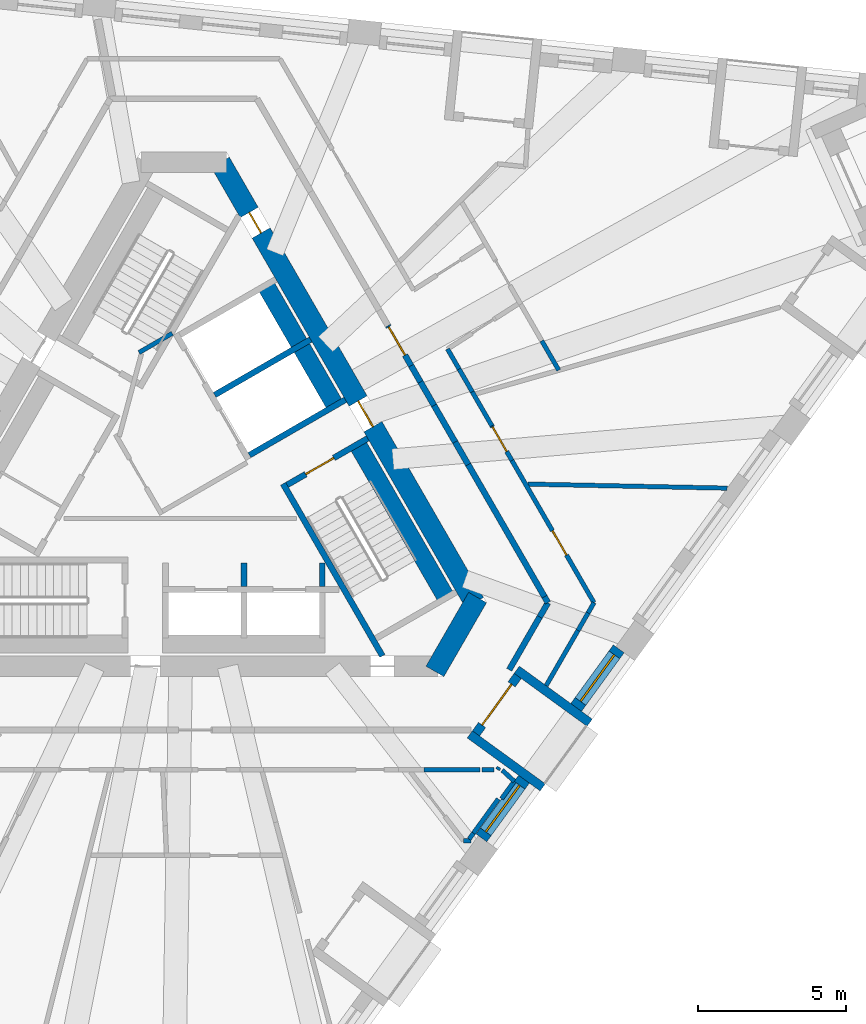
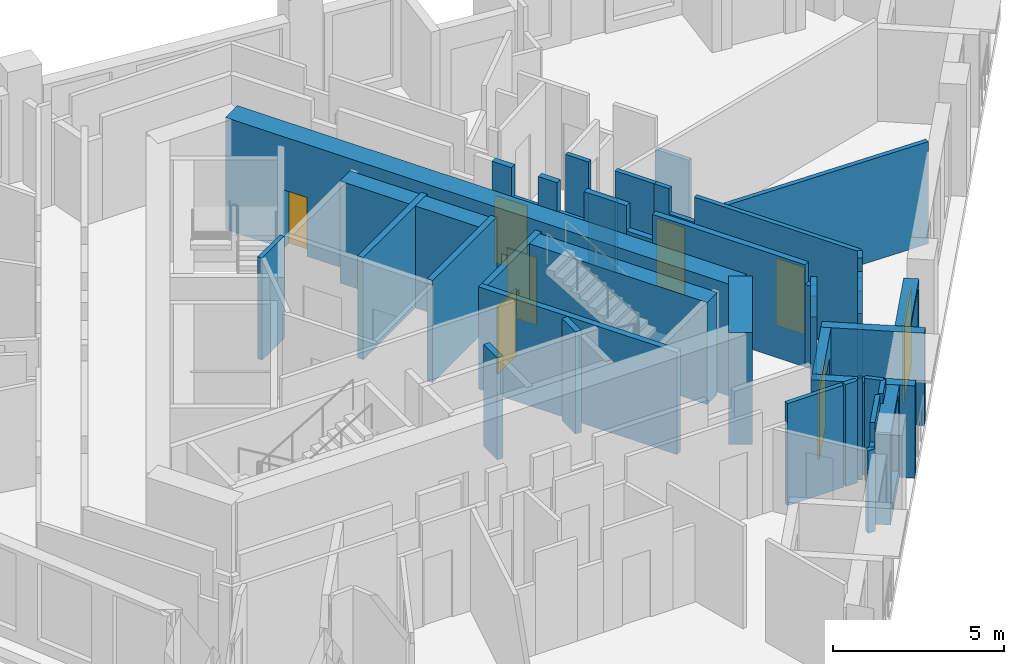
# One storey, part 5 of 11: 43 walls, 7 doors, 2 windows, 9 openings.
"""IFC4 building model written with IfcOpenShell, lengths in metres."""

from ifc_helpers import new_model, si_unit, direction, frame, frame_2d, origin, place, context, subcontext, project, spatial, polyline, rectangle, outline, extrude, material, layer, layer_set, type_object, element, fill, save


model = new_model("IFC4")

# Units and contexts
model_context = context("Model", 3, precision=1e-05, world=origin(), true_north=direction((0.0, 1.0)))
body_context = subcontext(model_context, "Body", "Model", "MODEL_VIEW")
ifc_project = project(units=[si_unit("LENGTHUNIT", "METRE"), si_unit("AREAUNIT", "SQUARE_METRE"), si_unit("VOLUMEUNIT", "CUBIC_METRE"), si_unit("PLANEANGLEUNIT", "RADIAN"), si_unit("MASSUNIT", "GRAM", prefix="KILO")], contexts=[model_context])

# Site, building, storey
site_placement = place(None, origin())
site = spatial("IfcSite", under=ifc_project, at=site_placement, CompositionType="ELEMENT")
building_placement = place(site_placement, origin())
building = spatial("IfcBuilding", under=site, at=building_placement, Name="Tramontana Tower", CompositionType="ELEMENT")
storey_placement = place(building_placement, frame((0.0, 0.0, 249.199951171875)))
storey = spatial("IfcBuildingStorey", under=building, at=storey_placement, Name="L58", CompositionType="ELEMENT", Elevation=249.199951171875)

# Wall
ifc_material_1 = material(Name="Concrete 70 MPa", Category="concrete")
ifc_layer_1 = layer(ifc_material_1, 0.699951171875)
ifc_layer_set_1 = layer_set([ifc_layer_1], Name="Core wall 700 70 MPa")
wall_type_1 = type_object("IfcWallType", Name="Core wall 700 70 MPa", PredefinedType="SHEAR", material=ifc_layer_set_1)
wall_1_placement = place(storey_placement, frame((8.50146484375, -6.574951171875, 0.0), z_axis=(0.0, 0.0, 1.0), x_axis=(0.499995765644, 0.866027848477, 0.0)))
element("IfcWall", 1, at=wall_1_placement, inside=storey, type_object=wall_type_1, Name="Core wall C4 L58", PredefinedType="SHEAR", context=body_context, shape_type="SweptSolid", body=[
    extrude(rectangle(XDim=2.88671875, YDim=0.699951171875, at=frame_2d((1.443359375, 0.0))), origin(), (0.0, 0.0, 1.0), 4.0),
])

# Wall, openings, doors
wall_2_placement = place(storey_placement, frame((9.84375, -4.25, 0.0), z_axis=(0.0, 0.0, 1.0), x_axis=(-0.500003331888, 0.866023480109, 0.0)))
wall_2 = element("IfcWall", 2, at=wall_2_placement, inside=storey, type_object=wall_type_1, Name="Core wall C5 L58", PredefinedType="SHEAR", context=body_context, shape_type="SweptSolid", body=[
    extrude(rectangle(XDim=17.205078125, YDim=0.699951171875, at=frame_2d((8.6025390625, 0.0))), origin(), (0.0, 0.0, 1.0), 4.0),
])
opening_1_placement = place(wall_2_placement, frame((6.87744140625, 0.0, 0.0)))
opening_1 = element("IfcOpeningElement", 3, at=opening_1_placement, cuts=wall_2, Name="Opening RG3", PredefinedType="OPENING", context=body_context, shape_type="SweptSolid", body=[
    extrude(rectangle(XDim=1.0, YDim=2.39990234375, at=frame_2d((0.5, 1.199951171875))), frame((0.0, 0.35986328125, 0.0), z_axis=(0.0, -1.0, 0.0), x_axis=(1.0, 0.0, 0.0)), (0.0, 0.0, 1.0), 0.719970703125),
])
opening_2_placement = place(wall_2_placement, frame((14.445068359375, 0.0, 0.0)))
opening_2 = element("IfcOpeningElement", 4, at=opening_2_placement, cuts=wall_2, Name="Opening PD3", PredefinedType="OPENING", context=body_context, shape_type="SweptSolid", body=[
    extrude(rectangle(XDim=0.800048828125, YDim=2.10009765625, at=frame_2d((0.39990234375, 1.050048828125))), frame((0.0, 0.35986328125, 0.0), z_axis=(0.0, -1.0, 0.0), x_axis=(1.0, 0.0, 0.0)), (0.0, 0.0, 1.0), 0.719970703125),
])
ifc_material_2 = material(Name="Painted steel", Category="steel")
door_type_1 = type_object("IfcDoorType", Name="CUPBOARD DOOR 800", OperationType="SINGLE_SWING_LEFT", PredefinedType="DOOR", material=ifc_material_2)
door_1_placement = place(opening_2_placement, origin())
door_1 = element("IfcDoor", 5, at=door_1_placement, inside=storey, type_object=door_type_1, Name="Door PD3", OperationType="SINGLE_SWING_RIGHT", OverallHeight=2.10009765625, OverallWidth=0.800048828125, PredefinedType="DOOR", context=body_context, shape_type="SweptSolid", body=[
    extrude(rectangle(XDim=0.800048828125, YDim=2.10009765625, at=frame_2d((0.39990234375, 1.050048828125))), frame((0.0, 0.02490234375, 0.0), z_axis=(0.0, -1.0, 0.0), x_axis=(1.0, 0.0, 0.0)), (0.0, 0.0, 1.0), 0.050048828125),
])
fill(opening_2, door_1)
ifc_material_3 = material(Name="Painted steel", Category="steel")
door_type_2 = type_object("IfcDoorType", Name="RING DOOR 1000", OperationType="SINGLE_SWING_LEFT", PredefinedType="DOOR", material=ifc_material_3)
door_2_placement = place(opening_1_placement, origin())
door_2 = element("IfcDoor", 6, at=door_2_placement, inside=storey, type_object=door_type_2, Name="Door RG3", OperationType="SINGLE_SWING_RIGHT", OverallHeight=2.39990234375, OverallWidth=1.0, PredefinedType="DOOR", context=body_context, shape_type="SweptSolid", body=[
    extrude(rectangle(XDim=1.0, YDim=2.39990234375, at=frame_2d((0.5, 1.199951171875))), frame((0.0, 0.02490234375, 0.0), z_axis=(0.0, -1.0, 0.0), x_axis=(1.0, 0.0, 0.0)), (0.0, 0.0, 1.0), 0.050048828125),
])
fill(opening_1, door_2)

# Walls
ifc_material_4 = material(Name="Blockwork", Category="masonry")
ifc_layer_2 = layer(ifc_material_4, 0.199951171875)
ifc_layer_set_2 = layer_set([ifc_layer_2], Name="ENTRY WALL 200")
wall_type_2 = type_object("IfcWallType", Name="ENTRY WALL 200", PredefinedType="SOLIDWALL", material=ifc_layer_set_2)
wall_3_placement = place(storey_placement, frame((12.326416015625, -4.25, 0.0), z_axis=(0.0, 0.0, 1.0), x_axis=(-0.500000383388, -0.866025182435, 0.0)))
element("IfcWall", 7, at=wall_3_placement, inside=storey, type_object=wall_type_2, Name="Wall v61-ew0-0", PredefinedType="SOLIDWALL", context=body_context, shape_type="SweptSolid", body=[
    extrude(rectangle(XDim=0.5576171875, YDim=0.199951171875, at=frame_2d((0.27880859375, 0.0))), origin(), (0.0, 0.0, 1.0), 2.949951171875),
])
wall_4_placement = place(storey_placement, frame((12.047607421875, -4.73291015625, 0.0), z_axis=(0.0, 0.0, 1.0), x_axis=(-0.499958106649, -0.866049589571, 0.0)))
element("IfcWall", 8, at=wall_4_placement, inside=storey, type_object=wall_type_2, Name="Wall v61-ew0-1", PredefinedType="SOLIDWALL", context=body_context, shape_type="SweptSolid", body=[
    extrude(rectangle(XDim=2.062744140625, YDim=0.199951171875, at=frame_2d((1.03125, 0.0))), origin(), (0.0, 0.0, 1.0), 3.650146484375),
])

# Wall, opening, door
wall_5_placement = place(storey_placement, frame((6.914306640625, 5.124267578125, 0.0), z_axis=(0.0, 0.0, 1.0), x_axis=(0.499861922145, -0.866105108396, 0.0)))
wall_5 = element("IfcWall", 9, at=wall_5_placement, inside=storey, type_object=wall_type_2, Name="Wall v61-ew5-5", PredefinedType="SOLIDWALL", context=body_context, shape_type="SweptSolid", body=[
    extrude(outline(polyline([(0.0, 0.0), (1.56591796875, 0.0), (1.56591796875, 2.550048828125), (0.665771484375, 2.550048828125), (0.665771484375, 3.650146484375), (0.0, 3.650146484375), (0.0, 0.0)])), frame((0.0, 0.10009765625, 0.0), z_axis=(0.0, -1.0, 0.0), x_axis=(1.0, 0.0, 0.0)), (0.0, 0.0, 1.0), 0.199951171875),
])
opening_3_placement = place(wall_5_placement, frame((0.050048828125, 0.0, 0.0)))
opening_3 = element("IfcOpeningElement", 10, at=opening_3_placement, cuts=wall_5, Name="Opening B6B-23", PredefinedType="OPENING", context=body_context, shape_type="SweptSolid", body=[
    extrude(rectangle(XDim=1.10009765625, YDim=2.39990234375, at=frame_2d((0.550048828125, 1.199951171875))), frame((0.0, 0.10986328125, 0.0), z_axis=(0.0, -1.0, 0.0), x_axis=(1.0, 0.0, 0.0)), (0.0, 0.0, 1.0), 0.219970703125),
])
ifc_material_5 = material(Name="Painted timber", Category="wood")
door_type_3 = type_object("IfcDoorType", Name="DOOR ENTRY 1100", OperationType="SINGLE_SWING_LEFT", PredefinedType="DOOR", material=ifc_material_5)
door_3_placement = place(opening_3_placement, origin())
door_3 = element("IfcDoor", 11, at=door_3_placement, inside=storey, type_object=door_type_3, Name="Door B6B-23", OperationType="SINGLE_SWING_LEFT", OverallHeight=2.39990234375, OverallWidth=1.10009765625, PredefinedType="DOOR", context=body_context, shape_type="SweptSolid", body=[
    extrude(rectangle(XDim=1.10009765625, YDim=2.39990234375, at=frame_2d((0.550048828125, 1.199951171875))), frame((0.0, 0.02490234375, 0.0), z_axis=(0.0, -1.0, 0.0), x_axis=(1.0, 0.0, 0.0)), (0.0, 0.0, 1.0), 0.050048828125),
])
fill(opening_3, door_3)

# Walls
wall_6_placement = place(storey_placement, frame((7.697021484375, 3.76806640625, 0.0), z_axis=(0.0, 0.0, 1.0), x_axis=(0.50012328804, -0.865954211699, 0.0)))
element("IfcWall", 12, at=wall_6_placement, inside=storey, type_object=wall_type_2, Name="Wall v61-ew5-6", PredefinedType="SOLIDWALL", context=body_context, shape_type="SweptSolid", body=[
    extrude(rectangle(XDim=0.632568359375, YDim=0.199951171875, at=frame_2d((0.31640625, 0.0))), origin(), (0.0, 0.0, 1.0), 3.650146484375),
])
wall_7_placement = place(storey_placement, frame((8.013427734375, 3.22021484375, 0.0), z_axis=(0.0, 0.0, 1.0), x_axis=(0.500175591747, -0.865924002104, 0.0)))
element("IfcWall", 13, at=wall_7_placement, inside=storey, type_object=wall_type_2, Name="Wall v61-ew5-7", PredefinedType="SOLIDWALL", context=body_context, shape_type="SweptSolid", body=[
    extrude(rectangle(XDim=0.917236328125, YDim=0.199951171875, at=frame_2d((0.45849609375, 0.0))), origin(), (0.0, 0.0, 1.0), 2.550048828125),
])
wall_8_placement = place(storey_placement, frame((8.47216796875, 2.426025390625, 0.0), z_axis=(0.0, 0.0, 1.0), x_axis=(0.499904796234, -0.866080362727, 0.0)))
element("IfcWall", 14, at=wall_8_placement, inside=storey, type_object=wall_type_2, Name="Wall v61-ew5-8", PredefinedType="SOLIDWALL", context=body_context, shape_type="SweptSolid", body=[
    extrude(rectangle(XDim=1.429443359375, YDim=0.199951171875, at=frame_2d((0.71484375, 0.0))), origin(), (0.0, 0.0, 1.0), 3.650146484375),
])
wall_9_placement = place(storey_placement, frame((9.186767578125, 1.18798828125, 0.0), z_axis=(0.0, 0.0, 1.0), x_axis=(0.500121072013, -0.86595549154, 0.0)))
element("IfcWall", 15, at=wall_9_placement, inside=storey, type_object=wall_type_2, Name="Wall v61-ew5-9", PredefinedType="SOLIDWALL", context=body_context, shape_type="SweptSolid", body=[
    extrude(rectangle(XDim=0.883544921875, YDim=0.199951171875, at=frame_2d((0.44189453125, 0.0))), origin(), (0.0, 0.0, 1.0), 2.75),
])
wall_10_placement = place(storey_placement, frame((9.628662109375, 0.4228515625, 0.0), z_axis=(0.0, 0.0, 1.0), x_axis=(0.499995433041, -0.866028040503, 0.0)))
element("IfcWall", 16, at=wall_10_placement, inside=storey, type_object=wall_type_2, Name="Wall v61-ew5-10", PredefinedType="SOLIDWALL", context=body_context, shape_type="SweptSolid", body=[
    extrude(rectangle(XDim=5.1611328125, YDim=0.199951171875, at=frame_2d((2.58056640625, 0.0))), origin(), (0.0, 0.0, 1.0), 3.650146484375),
])
wall_11_placement = place(storey_placement, frame((12.209228515625, -4.046875, 0.0), z_axis=(0.0, 0.0, 1.0), x_axis=(0.49972245349, -0.866185586049, 0.0)))
element("IfcWall", 17, at=wall_11_placement, inside=storey, type_object=wall_type_2, Name="Wall v61-ew5-11", PredefinedType="SOLIDWALL", context=body_context, shape_type="SweptSolid", body=[
    extrude(rectangle(XDim=0.234619140625, YDim=0.199951171875, at=frame_2d((0.1171875, 0.0))), origin(), (0.0, 0.0, 1.0), 2.949951171875),
])

# Wall, opening, window
ifc_material_6 = material(Name="Precast concrete 60 MPa", Category="concrete")
ifc_layer_3 = layer(ifc_material_6, 0.449951171875)
ifc_layer_set_3 = layer_set([ifc_layer_3], Name="Precast concrete 60 MPa, 450 mm")
wall_type_3 = type_object("IfcWallType", Name="EW1 Stone-faced precast wall 450", PredefinedType="SOLIDWALL", material=ifc_layer_set_3)
wall_12_placement = place(storey_placement, frame((10.074462890625, -12.2060546875, 0.0), z_axis=(0.0, 0.0, 1.0), x_axis=(0.587792773076, 0.809011530152, 0.0)))
wall_12 = element("IfcWall", 18, at=wall_12_placement, inside=storey, type_object=wall_type_3, Name="External wall L58 face 1 bay 3", PredefinedType="SOLIDWALL", context=body_context, shape_type="SweptSolid", body=[
    extrude(rectangle(XDim=2.4521484375, YDim=0.449951171875, at=frame_2d((1.22607421875, 0.0))), origin(), (0.0, 0.0, 1.0), 3.300048828125),
])
opening_4_placement = place(wall_12_placement, frame((0.251220703125, 0.0, 0.39990234375)))
opening_4 = element("IfcOpeningElement", 19, at=opening_4_placement, cuts=wall_12, Name="Opening M3", PredefinedType="OPENING", context=body_context, shape_type="SweptSolid", body=[
    extrude(rectangle(XDim=1.949951171875, YDim=2.75, at=frame_2d((0.97509765625, 1.375))), frame((0.0, 0.23486328125, 0.0), z_axis=(0.0, -1.0, 0.0), x_axis=(1.0, 0.0, 0.0)), (0.0, 0.0, 1.0), 0.469970703125),
])
ifc_material_7 = material(Name="Aluminum frame, double glazing unit", Category="aluminium")
window_type = type_object("IfcWindowType", Name="M3 Window 1.95 x 2.75", PartitioningType="SINGLE_PANEL", PredefinedType="WINDOW", material=ifc_material_7)
window_1_placement = place(opening_4_placement, origin())
window_1 = element("IfcWindow", 20, at=window_1_placement, inside=storey, type_object=window_type, Name="Window M3 L58 face 1 module 7", OverallHeight=2.75, OverallWidth=1.949951171875, PartitioningType="SINGLE_PANEL", PredefinedType="WINDOW", context=body_context, shape_type="SweptSolid", body=[
    extrude(rectangle(XDim=1.949951171875, YDim=2.75, at=frame_2d((0.97509765625, 1.375))), frame((0.0, 0.030029296875, 0.0), z_axis=(0.0, -1.0, 0.0), x_axis=(1.0, 0.0, 0.0)), (0.0, 0.0, 1.0), 0.06005859375),
])
fill(opening_4, window_1)

wall_13_placement = place(storey_placement, frame((13.280517578125, -7.79345703125, 0.0), z_axis=(0.0, 0.0, 1.0), x_axis=(0.587792773076, 0.809011530152, 0.0)))
wall_13 = element("IfcWall", 21, at=wall_13_placement, inside=storey, type_object=wall_type_3, Name="External wall L58 face 1 bay 3", PredefinedType="SOLIDWALL", context=body_context, shape_type="SweptSolid", body=[
    extrude(rectangle(XDim=2.4521484375, YDim=0.449951171875, at=frame_2d((1.22607421875, 0.0))), origin(), (0.0, 0.0, 1.0), 3.300048828125),
])
opening_5_placement = place(wall_13_placement, frame((0.251220703125, 0.0, 0.39990234375)))
opening_5 = element("IfcOpeningElement", 22, at=opening_5_placement, cuts=wall_13, Name="Opening M3", PredefinedType="OPENING", context=body_context, shape_type="SweptSolid", body=[
    extrude(rectangle(XDim=1.949951171875, YDim=2.75, at=frame_2d((0.97509765625, 1.375))), frame((0.0, 0.23486328125, 0.0), z_axis=(0.0, -1.0, 0.0), x_axis=(1.0, 0.0, 0.0)), (0.0, 0.0, 1.0), 0.469970703125),
])
window_2_placement = place(opening_5_placement, origin())
window_2 = element("IfcWindow", 23, at=window_2_placement, inside=storey, type_object=window_type, Name="Window M3 L58 face 1 module 9", OverallHeight=2.75, OverallWidth=1.949951171875, PartitioningType="SINGLE_PANEL", PredefinedType="WINDOW", context=body_context, shape_type="SweptSolid", body=[
    extrude(rectangle(XDim=1.949951171875, YDim=2.75, at=frame_2d((0.97509765625, 1.375))), frame((0.0, 0.030029296875, 0.0), z_axis=(0.0, -1.0, 0.0), x_axis=(1.0, 0.0, 0.0)), (0.0, 0.0, 1.0), 0.06005859375),
])
fill(opening_5, window_2)

# Wall, opening, door
ifc_material_8 = material(Name="Precast concrete 60 MPa", Category="concrete")
ifc_layer_4 = layer(ifc_material_8, 0.300048828125)
ifc_layer_set_4 = layer_set([ifc_layer_4], Name="LW1 Stone-faced loggia wall 300")
wall_type_4 = type_object("IfcWallType", Name="LW1 Stone-faced loggia wall 300", PredefinedType="SOLIDWALL", material=ifc_layer_set_4)
wall_14_placement = place(storey_placement, frame((9.89208984375, -8.671630859375, 0.0), z_axis=(0.0, 0.0, 1.0), x_axis=(0.587833242688, 0.808982125137, 0.0)))
wall_14 = element("IfcWall", 24, at=wall_14_placement, inside=storey, type_object=wall_type_4, Name="Loggia wall L58 G6S1.7", PredefinedType="SOLIDWALL", context=body_context, shape_type="SweptSolid", body=[
    extrude(rectangle(XDim=2.40234375, YDim=0.300048828125, at=frame_2d((1.201171875, 0.0))), origin(), (0.0, 0.0, 1.0), 3.300048828125),
])
opening_6_placement = place(wall_14_placement, frame((0.35107421875, 0.0, 0.0)))
opening_6 = element("IfcOpeningElement", 25, at=opening_6_placement, cuts=wall_14, Name="Opening BD-6S1-07", PredefinedType="OPENING", context=body_context, shape_type="SweptSolid", body=[
    extrude(rectangle(XDim=1.699951171875, YDim=2.5, at=frame_2d((0.85009765625, 1.25))), frame((0.0, 0.159912109375, 0.0), z_axis=(0.0, -1.0, 0.0), x_axis=(1.0, 0.0, 0.0)), (0.0, 0.0, 1.0), 0.320068359375),
])
ifc_material_9 = material(Name="Aluminum frame, double glazing unit", Category="aluminium")
door_type_4 = type_object("IfcDoorType", Name="BD3 Sliding door 1.7 x 2.5", OperationType="SLIDING_TO_LEFT", PredefinedType="DOOR", material=ifc_material_9)
door_4_placement = place(opening_6_placement, origin())
door_4 = element("IfcDoor", 26, at=door_4_placement, inside=storey, type_object=door_type_4, Name="Loggia door L58 G6S1.7", OperationType="SLIDING_TO_LEFT", OverallHeight=2.5, OverallWidth=1.699951171875, PredefinedType="DOOR", context=body_context, shape_type="SweptSolid", body=[
    extrude(rectangle(XDim=1.699951171875, YDim=2.5, at=frame_2d((0.85009765625, 1.25))), frame((0.0, 0.02490234375, 0.0), z_axis=(0.0, -1.0, 0.0), x_axis=(1.0, 0.0, 0.0)), (0.0, 0.0, 1.0), 0.050048828125),
])
fill(opening_6, door_4)

# Walls
for number, where, z_axis, x_axis, name in (
    (27, (12.150146484375, -10.49755859375, 0.0), (0.0, 0.0, 1.0), (-0.80902328748, 0.587776590479, 0.0), "Loggia return L58 G6S1.7a"),
    (28, (13.738525390625, -8.3115234375, 0.0), (0.0, 0.0, 1.0), (-0.80902328748, 0.587776590479, 0.0), "Loggia return L58 G6S1.7b"),
):
    element("IfcWall", number, at=place(storey_placement, frame(where, z_axis=z_axis, x_axis=x_axis)), inside=storey, type_object=wall_type_4, Name=name, PredefinedType="SOLIDWALL", context=body_context, shape_type="SweptSolid", body=[
        extrude(rectangle(XDim=3.050048828125, YDim=0.300048828125, at=frame_2d((1.52490234375, 0.0))), origin(), (0.0, 0.0, 1.0), 3.300048828125),
    ])
ifc_material_10 = material(Name="Gypsum board partition")
ifc_layer_5 = layer(ifc_material_10, 0.14990234375)
ifc_layer_set_5 = layer_set([ifc_layer_5], Name="PARTITION 150")
wall_type_5 = type_object("IfcWallType", Name="PARTITION 150", PredefinedType="PARTITIONING", material=ifc_layer_set_5)
wall_15_placement = place(storey_placement, frame((-1.509765625, 4.21484375, 0.0), z_axis=(0.0, 0.0, 1.0), x_axis=(0.866085525409, 0.49989585183, 0.0)))
element("IfcWall", 29, at=wall_15_placement, inside=storey, type_object=wall_type_5, Name="Wall ff-end1", PredefinedType="PARTITIONING", context=body_context, shape_type="SweptSolid", body=[
    extrude(rectangle(XDim=1.300048828125, YDim=0.14990234375, at=frame_2d((0.64990234375, 0.0))), origin(), (0.0, 0.0, 1.0), 3.650146484375),
])
wall_16_placement = place(storey_placement, frame((8.928955078125, 4.334716796875, 0.0), z_axis=(0.0, 0.0, 1.0), x_axis=(0.499919935369, -0.866071624186, 0.0)))
element("IfcWall", 30, at=wall_16_placement, inside=storey, type_object=wall_type_5, Name="Wall v61-pw24-0", PredefinedType="PARTITIONING", context=body_context, shape_type="SweptSolid", body=[
    extrude(rectangle(XDim=0.784912109375, YDim=0.14990234375, at=frame_2d((0.392578125, 0.0))), origin(), (0.0, 0.0, 1.0), 3.650146484375),
])
wall_17_placement = place(storey_placement, frame((9.3212890625, 3.655029296875, 0.0), z_axis=(0.0, 0.0, 1.0), x_axis=(0.499967368674, -0.86604424267, 0.0)))
element("IfcWall", 31, at=wall_17_placement, inside=storey, type_object=wall_type_5, Name="Wall v61-pw24-1", PredefinedType="PARTITIONING", context=body_context, shape_type="SweptSolid", body=[
    extrude(rectangle(XDim=0.8916015625, YDim=0.14990234375, at=frame_2d((0.44580078125, 0.0))), origin(), (0.0, 0.0, 1.0), 2.550048828125),
])
wall_18_placement = place(storey_placement, frame((9.76708984375, 2.8828125, 0.0), z_axis=(0.0, 0.0, 1.0), x_axis=(0.50001992892, -0.866013897511, 0.0)))
element("IfcWall", 32, at=wall_18_placement, inside=storey, type_object=wall_type_5, Name="Wall v61-pw24-2", PredefinedType="PARTITIONING", context=body_context, shape_type="SweptSolid", body=[
    extrude(rectangle(XDim=1.326171875, YDim=0.14990234375, at=frame_2d((0.6630859375, 0.0))), origin(), (0.0, 0.0, 1.0), 3.650146484375),
])

# Wall, opening, door
wall_19_placement = place(storey_placement, frame((10.43017578125, 1.734375, 0.0), z_axis=(0.0, 0.0, 1.0), x_axis=(0.500076281877, -0.865981357942, 0.0)))
wall_19 = element("IfcWall", 33, at=wall_19_placement, inside=storey, type_object=wall_type_5, Name="Wall v61-pw24-3", PredefinedType="PARTITIONING", context=body_context, shape_type="SweptSolid", body=[
    extrude(outline(polyline([(0.0, 0.0), (1.353759765625, 0.0), (1.353759765625, 2.75), (0.497802734375, 2.75), (0.497802734375, 3.650146484375), (0.0, 3.650146484375), (0.0, 0.0)])), frame((0.0, 0.074951171875, 0.0), z_axis=(0.0, -1.0, 0.0), x_axis=(1.0, 0.0, 0.0)), (0.0, 0.0, 1.0), 0.14990234375),
])
opening_7_placement = place(wall_19_placement, frame((0.050048828125, 0.0, 0.0)))
opening_7 = element("IfcOpeningElement", 34, at=opening_7_placement, cuts=wall_19, Name="Opening B6B-17", PredefinedType="OPENING", context=body_context, shape_type="SweptSolid", body=[
    extrude(rectangle(XDim=0.949951171875, YDim=2.39990234375, at=frame_2d((0.47509765625, 1.199951171875))), frame((0.0, 0.0849609375, 0.0), z_axis=(0.0, -1.0, 0.0), x_axis=(1.0, 0.0, 0.0)), (0.0, 0.0, 1.0), 0.169921875),
])
ifc_material_11 = material(Name="Painted timber", Category="wood")
door_type_5 = type_object("IfcDoorType", Name="DOOR ROOM 950", OperationType="SINGLE_SWING_LEFT", PredefinedType="DOOR", material=ifc_material_11)
door_5_placement = place(opening_7_placement, origin())
door_5 = element("IfcDoor", 35, at=door_5_placement, inside=storey, type_object=door_type_5, Name="Door B6B-17", OperationType="SINGLE_SWING_LEFT", OverallHeight=2.39990234375, OverallWidth=0.949951171875, PredefinedType="DOOR", context=body_context, shape_type="SweptSolid", body=[
    extrude(rectangle(XDim=0.949951171875, YDim=2.39990234375, at=frame_2d((0.47509765625, 1.199951171875))), frame((0.0, 0.02490234375, 0.0), z_axis=(0.0, -1.0, 0.0), x_axis=(1.0, 0.0, 0.0)), (0.0, 0.0, 1.0), 0.050048828125),
])
fill(opening_7, door_5)

wall_20_placement = place(storey_placement, frame((11.107177734375, 0.56201171875, 0.0), z_axis=(0.0, 0.0, 1.0), x_axis=(0.499981090573, -0.866036320872, 0.0)))
wall_20 = element("IfcWall", 36, at=wall_20_placement, inside=storey, type_object=wall_type_5, Name="Wall v61-pw24-4", PredefinedType="PARTITIONING", context=body_context, shape_type="SweptSolid", body=[
    extrude(rectangle(XDim=5.556396484375, YDim=0.14990234375, at=frame_2d((2.7783203125, 0.0))), origin(), (0.0, 0.0, 1.0), 3.650146484375),
])
opening_8_placement = place(wall_20_placement, frame((2.7421875, 0.0, 0.0)))
opening_8 = element("IfcOpeningElement", 37, at=opening_8_placement, cuts=wall_20, Name="Opening B6B-18", PredefinedType="OPENING", context=body_context, shape_type="SweptSolid", body=[
    extrude(rectangle(XDim=0.949951171875, YDim=2.39990234375, at=frame_2d((0.47509765625, 1.199951171875))), frame((0.0, 0.0849609375, 0.0), z_axis=(0.0, -1.0, 0.0), x_axis=(1.0, 0.0, 0.0)), (0.0, 0.0, 1.0), 0.169921875),
])
door_6_placement = place(opening_8_placement, origin())
door_6 = element("IfcDoor", 38, at=door_6_placement, inside=storey, type_object=door_type_5, Name="Door B6B-18", OperationType="SINGLE_SWING_RIGHT", OverallHeight=2.39990234375, OverallWidth=0.949951171875, PredefinedType="DOOR", context=body_context, shape_type="SweptSolid", body=[
    extrude(rectangle(XDim=0.949951171875, YDim=2.39990234375, at=frame_2d((0.47509765625, 1.199951171875))), frame((0.0, 0.02490234375, 0.0), z_axis=(0.0, -1.0, 0.0), x_axis=(1.0, 0.0, 0.0)), (0.0, 0.0, 1.0), 0.050048828125),
])
fill(opening_8, door_6)

# Walls
wall_21_placement = place(storey_placement, frame((12.1171875, 4.612548828125, 0.0), z_axis=(0.0, 0.0, 1.0), x_axis=(0.499930806979, -0.866065348708, 0.0)))
element("IfcWall", 39, at=wall_21_placement, inside=storey, type_object=wall_type_5, Name="Wall v61-pw25-4", PredefinedType="PARTITIONING", context=body_context, shape_type="SweptSolid", body=[
    extrude(rectangle(XDim=1.149658203125, YDim=0.14990234375, at=frame_2d((0.57470703125, 0.0))), origin(), (0.0, 0.0, 1.0), 2.550048828125),
])
wall_22_placement = place(storey_placement, frame((9.728271484375, -12.300048828125, 0.0), z_axis=(0.0, 0.0, 1.0), x_axis=(-1.0, 0.0, 0.0)))
element("IfcWall", 40, at=wall_22_placement, inside=storey, type_object=wall_type_5, Name="Wall v61-pw27-0", PredefinedType="PARTITIONING", context=body_context, shape_type="SweptSolid", body=[
    extrude(rectangle(XDim=0.258056640625, YDim=0.14990234375, at=frame_2d((0.12890625, 0.0))), origin(), (0.0, 0.0, 1.0), 2.949951171875),
])
wall_23_placement = place(storey_placement, frame((10.0224609375, -9.89990234375, 0.0), z_axis=(0.0, 0.0, 1.0), x_axis=(-1.0, 0.0, 0.0)))
element("IfcWall", 41, at=wall_23_placement, inside=storey, type_object=wall_type_5, Name="Wall v61-pw28-0", PredefinedType="PARTITIONING", context=body_context, shape_type="SweptSolid", body=[
    extrude(rectangle(XDim=1.888427734375, YDim=0.14990234375, at=frame_2d((0.9443359375, 0.0))), origin(), (0.0, 0.0, 1.0), 3.650146484375),
])
wall_24_placement = place(storey_placement, frame((10.09228515625, -9.89990234375, 0.0), z_axis=(0.0, 0.0, 1.0), x_axis=(1.0, 0.0, 0.0)))
element("IfcWall", 42, at=wall_24_placement, inside=storey, type_object=wall_type_5, Name="Wall v61-pw29", PredefinedType="PARTITIONING", context=body_context, shape_type="SweptSolid", body=[
    extrude(rectangle(XDim=0.406982421875, YDim=0.14990234375, at=frame_2d((0.20361328125, 0.0))), origin(), (0.0, 0.0, 1.0), 3.650146484375),
])
wall_25_placement = place(storey_placement, frame((10.64794921875, -10.889404296875, 0.0), z_axis=(0.0, 0.0, 1.0), x_axis=(-0.587766191515, -0.809030842497, 0.0)))
element("IfcWall", 43, at=wall_25_placement, inside=storey, type_object=wall_type_5, Name="Wall v61-pw31-0", PredefinedType="PARTITIONING", context=body_context, shape_type="SweptSolid", body=[
    extrude(rectangle(XDim=1.43212890625, YDim=0.14990234375, at=frame_2d((0.716064453125, 0.0))), origin(), (0.0, 0.0, 1.0), 3.650146484375),
])
wall_26_placement = place(storey_placement, frame((9.80615234375, -12.048095703125, 0.0), z_axis=(0.0, 0.0, 1.0), x_axis=(-0.587880852015, -0.80894752848, 0.0)))
element("IfcWall", 44, at=wall_26_placement, inside=storey, type_object=wall_type_5, Name="Wall v61-pw31-1", PredefinedType="PARTITIONING", context=body_context, shape_type="SweptSolid", body=[
    extrude(rectangle(XDim=0.24951171875, YDim=0.14990234375, at=frame_2d((0.124755859375, 0.0))), origin(), (0.0, 0.0, 1.0), 2.949951171875),
])
wall_27_placement = place(storey_placement, frame((10.67041015625, -9.818603515625, 0.0), z_axis=(0.0, 0.0, 1.0), x_axis=(-0.501445883607, -0.865189011612, 0.0)))
element("IfcWall", 45, at=wall_27_placement, inside=storey, type_object=wall_type_5, Name="Wall v61-pw32", PredefinedType="PARTITIONING", context=body_context, shape_type="SweptSolid", body=[
    extrude(rectangle(XDim=0.093994140625, YDim=0.14990234375, at=frame_2d((0.046875, 0.0))), origin(), (0.0, 0.0, 1.0), 3.650146484375),
])
wall_28_placement = place(storey_placement, frame((10.780517578125, -9.91748046875, 0.0), z_axis=(0.0, 0.0, 1.0), x_axis=(0.736089499219, -0.67688422137, 0.0)))
element("IfcWall", 46, at=wall_28_placement, inside=storey, type_object=wall_type_5, Name="Wall v61-pw33", PredefinedType="PARTITIONING", context=body_context, shape_type="SweptSolid", body=[
    extrude(rectangle(XDim=0.552490234375, YDim=0.14990234375, at=frame_2d((0.2763671875, 0.0))), origin(), (0.0, 0.0, 1.0), 3.650146484375),
])
wall_29_placement = place(storey_placement, frame((11.187255859375, -10.29150390625, 0.0), z_axis=(0.0, 0.0, 1.0), x_axis=(-0.587635244976, -0.809125959825, 0.0)))
element("IfcWall", 47, at=wall_29_placement, inside=storey, type_object=wall_type_5, Name="Wall v61-pw34", PredefinedType="PARTITIONING", context=body_context, shape_type="SweptSolid", body=[
    extrude(rectangle(XDim=0.730712890625, YDim=0.14990234375, at=frame_2d((0.365234375, 0.0))), origin(), (0.0, 0.0, 1.0), 3.650146484375),
])
wall_30_placement = place(storey_placement, frame((13.88525390625, -4.25, 0.0), z_axis=(0.0, 0.0, 1.0), x_axis=(-0.499899443193, -0.866083452501, 0.0)))
element("IfcWall", 48, at=wall_30_placement, inside=storey, type_object=wall_type_5, Name="Wall v61-pw38-0", PredefinedType="PARTITIONING", context=body_context, shape_type="SweptSolid", body=[
    extrude(rectangle(XDim=0.39794921875, YDim=0.14990234375, at=frame_2d((0.198974609375, 0.0))), origin(), (0.0, 0.0, 1.0), 3.650146484375),
])
wall_31_placement = place(storey_placement, frame((13.686279296875, -4.5947265625, 0.0), z_axis=(0.0, 0.0, 1.0), x_axis=(-0.500081895979, -0.865978115955, 0.0)))
element("IfcWall", 49, at=wall_31_placement, inside=storey, type_object=wall_type_5, Name="Wall v61-pw38-1", PredefinedType="PARTITIONING", context=body_context, shape_type="SweptSolid", body=[
    extrude(rectangle(XDim=0.68603515625, YDim=0.14990234375, at=frame_2d((0.343017578125, 0.0))), origin(), (0.0, 0.0, 1.0), 2.949951171875),
])
wall_32_placement = place(storey_placement, frame((13.34326171875, -5.188720703125, 0.0), z_axis=(0.0, 0.0, 1.0), x_axis=(-0.499951176785, -0.866053590046, 0.0)))
element("IfcWall", 50, at=wall_32_placement, inside=storey, type_object=wall_type_5, Name="Wall v61-pw38-2", PredefinedType="PARTITIONING", context=body_context, shape_type="SweptSolid", body=[
    extrude(rectangle(XDim=2.156005859375, YDim=0.14990234375, at=frame_2d((1.078125, 0.0))), origin(), (0.0, 0.0, 1.0), 3.650146484375),
])
wall_33_placement = place(storey_placement, frame((18.392578125, -0.37451171875, 0.0), z_axis=(0.0, 0.0, 1.0), x_axis=(-0.999792692365, 0.020361048453, 0.0)))
element("IfcWall", 51, at=wall_33_placement, inside=storey, type_object=wall_type_5, Name="Wall v61-pw39", PredefinedType="PARTITIONING", context=body_context, shape_type="SweptSolid", body=[
    extrude(rectangle(XDim=6.73876953125, YDim=0.14990234375, at=frame_2d((3.369384765625, 0.0))), origin(), (0.0, 0.0, 1.0), 3.650146484375),
])
ifc_material_12 = material(Name="Concrete 70 MPa", Category="concrete")
ifc_layer_6 = layer(ifc_material_12, 0.60009765625)
ifc_layer_set_6 = layer_set([ifc_layer_6], Name="Concrete 70 MPa, 600 mm")
wall_type_6 = type_object("IfcWallType", Name="RC SHAFT BACK WALL 600", PredefinedType="SOLIDWALL", material=ifc_layer_set_6)
wall_34_placement = place(storey_placement, frame((8.93310546875, -4.17236328125, 0.0), z_axis=(0.0, 0.0, 1.0), x_axis=(-0.500026960575, 0.86600983753, 0.0)))
element("IfcWall", 52, at=wall_34_placement, inside=storey, type_object=wall_type_6, Name="Wall st3-back", PredefinedType="SOLIDWALL", context=body_context, shape_type="SweptSolid", body=[
    extrude(rectangle(XDim=6.199951171875, YDim=0.60009765625, at=frame_2d((3.10009765625, 0.0))), origin(), (0.0, 0.0, 1.0), 3.650146484375),
])
wall_35_placement = place(storey_placement, frame((5.177978515625, 2.331298828125, 0.0), z_axis=(0.0, 0.0, 1.0), x_axis=(-0.49998122708, 0.866036242063, 0.0)))
element("IfcWall", 53, at=wall_35_placement, inside=storey, type_object=wall_type_6, Name="Wall row2-back", PredefinedType="SOLIDWALL", context=body_context, shape_type="SweptSolid", body=[
    extrude(rectangle(XDim=4.900146484375, YDim=0.60009765625, at=frame_2d((2.4501953125, 0.0))), origin(), (0.0, 0.0, 1.0), 3.650146484375),
])
ifc_material_13 = material(Name="Concrete 70 MPa", Category="concrete")
ifc_layer_7 = layer(ifc_material_13, 0.199951171875)
ifc_layer_set_7 = layer_set([ifc_layer_7], Name="Concrete 70 MPa, 200 mm")
wall_type_7 = type_object("IfcWallType", Name="RC STAIR AND SHAFT WALL 200", PredefinedType="SOLIDWALL", material=ifc_layer_set_7)
wall_36_placement = place(storey_placement, frame((6.72607421875, -6.050048828125, 0.0), z_axis=(0.0, 0.0, 1.0), x_axis=(-0.499970804718, 0.866042259032, 0.0)))
element("IfcWall", 54, at=wall_36_placement, inside=storey, type_object=wall_type_7, Name="Wall st3-front", PredefinedType="SOLIDWALL", context=body_context, shape_type="SweptSolid", body=[
    extrude(rectangle(XDim=6.72265625, YDim=0.199951171875, at=frame_2d((3.361328125, 0.0))), origin(), (0.0, 0.0, 1.0), 3.650146484375),
])

# Wall, opening, door
wall_37_placement = place(storey_placement, frame((3.50146484375, -0.2646484375, 0.0), z_axis=(0.0, 0.0, 1.0), x_axis=(0.866035871367, 0.499981869177, 0.0)))
wall_37 = element("IfcWall", 55, at=wall_37_placement, inside=storey, type_object=wall_type_7, Name="Wall st3-near", PredefinedType="SOLIDWALL", context=body_context, shape_type="SweptSolid", body=[
    extrude(rectangle(XDim=3.14990234375, YDim=0.199951171875, at=frame_2d((1.574951171875, 0.0))), origin(), (0.0, 0.0, 1.0), 3.650146484375),
])
opening_9_placement = place(wall_37_placement, frame((0.72509765625, 0.0, 0.0)))
opening_9 = element("IfcOpeningElement", 56, at=opening_9_placement, cuts=wall_37, Name="Opening SD3", PredefinedType="OPENING", context=body_context, shape_type="SweptSolid", body=[
    extrude(rectangle(XDim=1.10009765625, YDim=2.39990234375, at=frame_2d((0.550048828125, 1.199951171875))), frame((0.0, 0.10986328125, 0.0), z_axis=(0.0, -1.0, 0.0), x_axis=(1.0, 0.0, 0.0)), (0.0, 0.0, 1.0), 0.219970703125),
])
ifc_material_14 = material(Name="Painted steel", Category="steel")
door_type_6 = type_object("IfcDoorType", Name="STAIR DOOR 1100", OperationType="SINGLE_SWING_LEFT", PredefinedType="DOOR", material=ifc_material_14)
door_7_placement = place(opening_9_placement, origin())
door_7 = element("IfcDoor", 57, at=door_7_placement, inside=storey, type_object=door_type_6, Name="Door SD3", OperationType="SINGLE_SWING_RIGHT", OverallHeight=2.39990234375, OverallWidth=1.10009765625, PredefinedType="DOOR", context=body_context, shape_type="SweptSolid", body=[
    extrude(rectangle(XDim=1.10009765625, YDim=2.39990234375, at=frame_2d((0.550048828125, 1.199951171875))), frame((0.0, 0.02490234375, 0.0), z_axis=(0.0, -1.0, 0.0), x_axis=(1.0, 0.0, 0.0)), (0.0, 0.0, 1.0), 0.050048828125),
])
fill(opening_9, door_7)

# Walls
for number, where, z_axis, x_axis, name in (
    (58, (2.0400390625, -2.89990234375, 0.0), (0.0, 0.0, 1.0), (0.0, -1.0, 0.0), "Wall row1-side1-ret"),
    (59, (4.68994140625, -2.89990234375, 0.0), (0.0, 0.0, 1.0), (0.0, -1.0, 0.0), "Wall row1-side2-ret"),
):
    element("IfcWall", number, at=place(storey_placement, frame(where, z_axis=z_axis, x_axis=x_axis)), inside=storey, type_object=wall_type_7, Name=name, PredefinedType="SOLIDWALL", context=body_context, shape_type="SweptSolid", body=[
        extrude(rectangle(XDim=0.800048828125, YDim=0.199951171875, at=frame_2d((0.39990234375, 0.0))), origin(), (0.0, 0.0, 1.0), 3.650146484375),
    ])
wall_38_placement = place(storey_placement, frame((2.226806640625, 0.742919921875, 0.0), z_axis=(0.0, 0.0, 1.0), x_axis=(0.866022959057, 0.500004234368, 0.0)))
element("IfcWall", 60, at=wall_38_placement, inside=storey, type_object=wall_type_7, Name="Wall row2-side0", PredefinedType="SOLIDWALL", context=body_context, shape_type="SweptSolid", body=[
    extrude(rectangle(XDim=3.75, YDim=0.199951171875, at=frame_2d((1.875, 0.0))), origin(), (0.0, 0.0, 1.0), 3.650146484375),
])
wall_39_placement = place(storey_placement, frame((1.0517578125, 2.778076171875, 0.0), z_axis=(0.0, 0.0, 1.0), x_axis=(0.866039234136, 0.499976044363, 0.0)))
element("IfcWall", 61, at=wall_39_placement, inside=storey, type_object=wall_type_7, Name="Wall row2-side1", PredefinedType="SOLIDWALL", context=body_context, shape_type="SweptSolid", body=[
    extrude(rectangle(XDim=3.750244140625, YDim=0.199951171875, at=frame_2d((1.875, 0.0))), origin(), (0.0, 0.0, 1.0), 3.650146484375),
])

save(model, "model.ifc")
